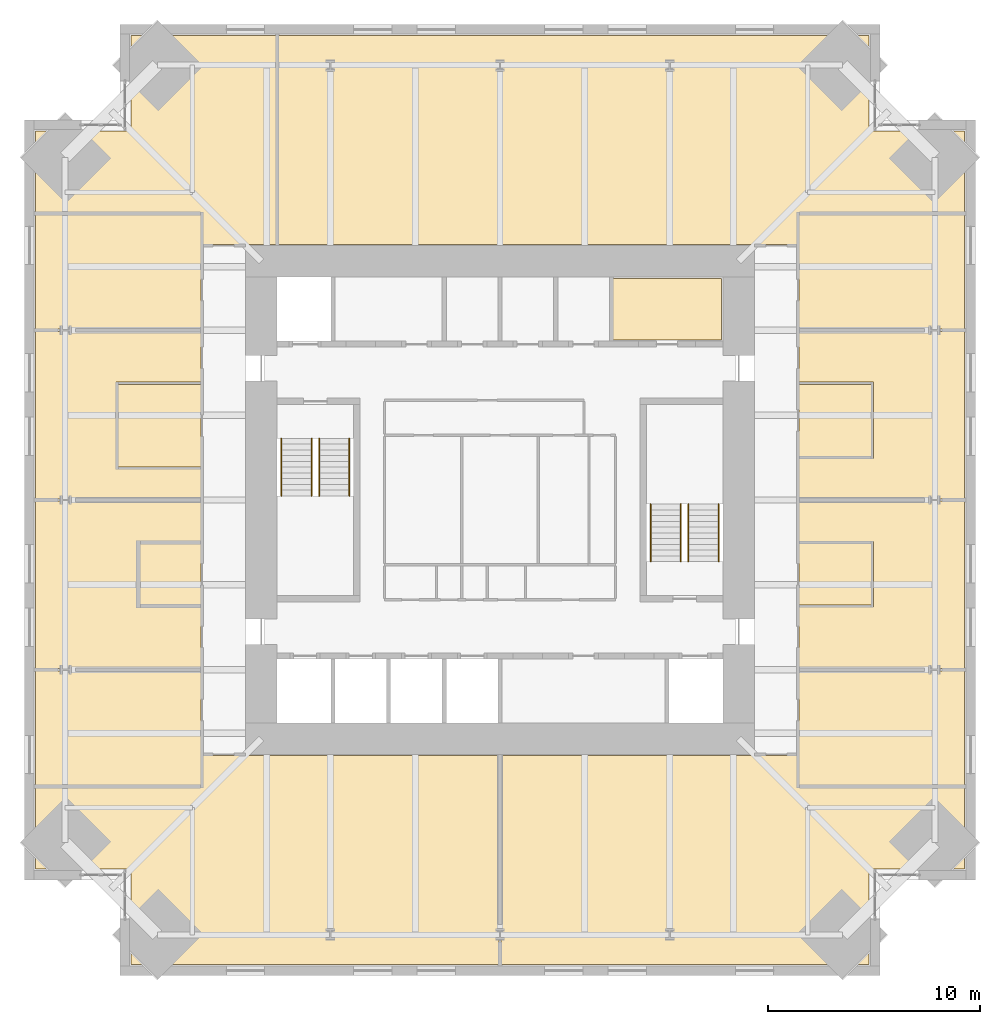
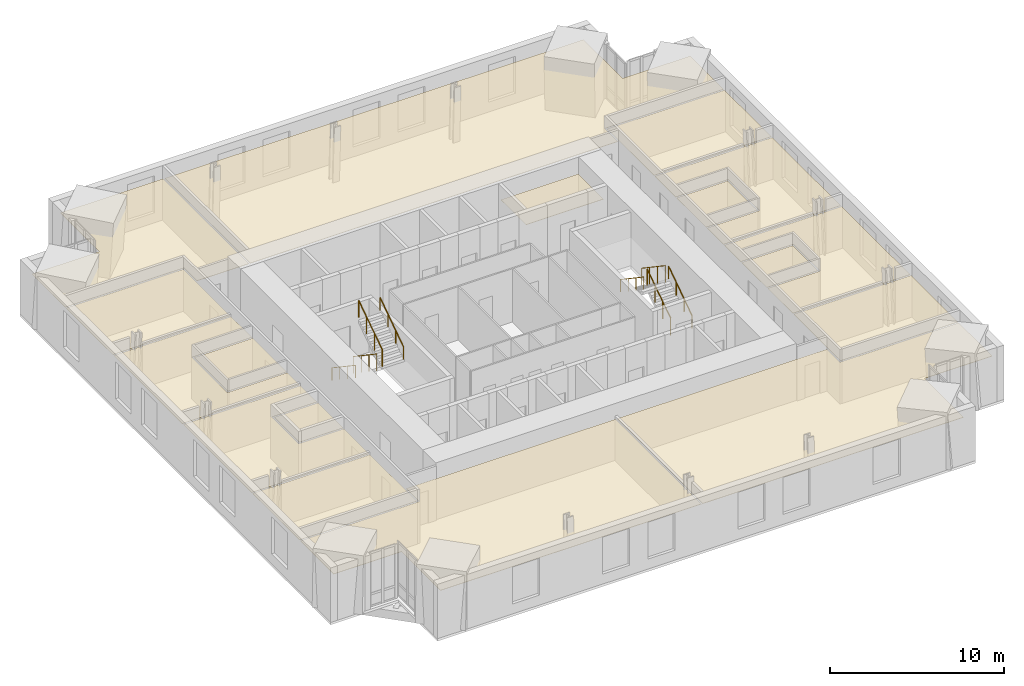
# One storey, part 17 of 17: 17 coverings, 8 railings.
"""IFC4 building model written with IfcOpenShell, lengths in metres."""

import ifcopenshell
import ifcopenshell.guid

model = None  # the IFC model being written
_history = None  # IfcOwnerHistory: only IFC2X3 demands one
_inside = {}  # id of a spatial element -> (the spatial element, [elements in it])
_under = {}  # id of a project, library or spatial element -> (it, [spatial elements below it])
_declared = {}  # id of a project -> (the project, [libraries it declares])
_typed = {}  # id of a type object -> (the type object, [elements of that type])
_made_of = {}  # id of a material, layer set ... -> (it, [elements and type objects made of it])


def new_model(schema):
    """Start an empty IFC model of exactly this schema.

    Asked for "IFC4X3", IfcOpenShell would pick the latest addendum, in which some entities
    have other attributes; the version numbers below select the first issue.
    IFC2X3 requires an IfcOwnerHistory on every rooted entity: one is made here for all.
    """
    global model, _history
    if schema == "IFC4X3":
        model = ifcopenshell.file(schema_version=(4, 3, 0, 0))
    else:
        model = ifcopenshell.file(schema=schema)
    _inside.clear()
    _under.clear()
    _declared.clear()
    _typed.clear()
    _made_of.clear()
    _history = None
    if model.schema == "IFC2X3":
        org = make("IfcOrganization", Name="unknown")
        user = make(
            "IfcPersonAndOrganization",
            ThePerson=make("IfcPerson", FamilyName="unknown"),
            TheOrganization=org,
        )
        app = make(
            "IfcApplication",
            ApplicationDeveloper=org,
            Version="unknown",
            ApplicationFullName="unknown",
            ApplicationIdentifier="unknown",
        )
        _history = make(
            "IfcOwnerHistory",
            OwningUser=user,
            OwningApplication=app,
            ChangeAction="ADDED",
            CreationDate=0,
        )
    return model


def make(cls, **values):
    """One entity of the class cls with the attributes given. An attribute that is None is left unset."""
    return model.create_entity(
        cls, **{name: value for name, value in values.items() if value is not None}
    )


def rooted(cls, **values):
    """An entity with a GlobalId (a new one), such as an element, a storey or a relation."""
    return make(cls, GlobalId=ifcopenshell.guid.new(), OwnerHistory=_history, **values)


def si_unit(unit_type, name, prefix=None):
    """IfcSIUnit, for example si_unit("LENGTHUNIT", "METRE", prefix="MILLI")."""
    return make("IfcSIUnit", UnitType=unit_type, Prefix=prefix, Name=name)


def assignment(units):
    """IfcUnitAssignment: the units of a project."""
    return None if units is None else make("IfcUnitAssignment", Units=units)


def point(xyz):
    """IfcCartesianPoint."""
    return None if xyz is None else make("IfcCartesianPoint", Coordinates=xyz)


def direction(xyz):
    """IfcDirection."""
    return None if xyz is None else make("IfcDirection", DirectionRatios=xyz)


def frame(location, z_axis=None, x_axis=None):
    """IfcAxis2Placement3D, a coordinate frame: its origin and axes. An axis left out is left unset."""
    return make(
        "IfcAxis2Placement3D",
        Location=point(location),
        Axis=direction(z_axis),
        RefDirection=direction(x_axis),
    )


def frame_2d(location, x_axis=None):
    """IfcAxis2Placement2D, a coordinate frame in the plane: its origin and x axis."""
    return make(
        "IfcAxis2Placement2D", Location=point(location), RefDirection=direction(x_axis)
    )


def origin():
    """The frame at (0, 0, 0) with its axes left unset."""
    return frame((0.0, 0.0, 0.0))


def origin_2d():
    """The frame at (0, 0) in the plane with its x axis left unset."""
    return frame_2d((0.0, 0.0))


def place(relative_to, where):
    """IfcLocalPlacement: puts the frame where relative to a parent placement (None: the world)."""
    return make(
        "IfcLocalPlacement", PlacementRelTo=relative_to, RelativePlacement=where
    )


def context(
    kind, dimensions, precision=None, world=None, true_north=None, identifier=None
):
    """IfcGeometricRepresentationContext, for example the 3D "Model" context."""
    return make(
        "IfcGeometricRepresentationContext",
        ContextIdentifier=identifier,
        ContextType=kind,
        CoordinateSpaceDimension=dimensions,
        Precision=precision,
        WorldCoordinateSystem=world,
        TrueNorth=true_north,
    )


def subcontext(parent, identifier, kind, view, scale=None):
    """IfcGeometricRepresentationSubContext, for example "Body" below "Model"."""
    return make(
        "IfcGeometricRepresentationSubContext",
        ContextIdentifier=identifier,
        ContextType=kind,
        ParentContext=parent,
        TargetScale=scale,
        TargetView=view,
    )


def project(units=None, contexts=None):
    """IfcProject with its units and contexts."""
    return rooted(
        "IfcProject",
        Name="project",
        RepresentationContexts=contexts,
        UnitsInContext=assignment(units),
    )


def spatial(cls, under=None, at=None, **own):
    """A site, building, storey or space (cls), placed at a placement, below another one or the project."""
    s = rooted(cls, ObjectPlacement=at, **own)
    if under is not None:
        _under.setdefault(under.id(), (under, []))[1].append(s)
    return s


def polyline(points):
    """IfcPolyline through the points."""
    return make("IfcPolyline", Points=[point(p) for p in points])


def profile(cls, at=None, kind="AREA", **sizes):
    """A parametric profile (cls). Its sizes go by their IFC names, for example OverallWidth=200.0."""
    return make(cls, ProfileType=kind, Position=at, **sizes)


def circle(**sizes):
    """IfcCircleProfileDef."""
    return profile("IfcCircleProfileDef", **sizes)


def outline(outer, holes=None, kind="AREA"):
    """IfcArbitraryClosedProfileDef: a profile drawn as a closed curve; with holes, ...WithVoids."""
    if holes is None:
        return make("IfcArbitraryClosedProfileDef", ProfileType=kind, OuterCurve=outer)
    return make(
        "IfcArbitraryProfileDefWithVoids",
        ProfileType=kind,
        OuterCurve=outer,
        InnerCurves=holes,
    )


def extrude(swept, where, along, depth):
    """IfcExtrudedAreaSolid: the profile swept, set in the frame where, extruded along a direction by depth."""
    return make(
        "IfcExtrudedAreaSolid",
        SweptArea=swept,
        Position=where,
        ExtrudedDirection=direction(along),
        Depth=depth,
    )


def shape(context_of_items, identifier, shape_type, items):
    """IfcShapeRepresentation: the items that make up one representation, for example the "Body"."""
    return make(
        "IfcShapeRepresentation",
        ContextOfItems=context_of_items,
        RepresentationIdentifier=identifier,
        RepresentationType=shape_type,
        Items=items,
    )


def material(Name=None, Category=None):
    """IfcMaterial."""
    return make("IfcMaterial", Name=Name, Category=Category)


def layer(
    of_material, thickness, ventilated=None, Name=None, Category=None, Priority=None
):
    """IfcMaterialLayer: one layer of a wall or slab, of a material (None: an air gap)."""
    return make(
        "IfcMaterialLayer",
        Material=of_material,
        LayerThickness=thickness,
        IsVentilated=ventilated,
        Name=Name,
        Category=Category,
        Priority=Priority,
    )


def layer_set(layers, Name=None):
    """IfcMaterialLayerSet."""
    return make("IfcMaterialLayerSet", MaterialLayers=layers, LayerSetName=Name)


def made_of(thing, what):
    """Note that an element or type object is made of a material, layer set ...; save() writes the relation."""
    if what is not None:
        _made_of.setdefault(what.id(), (what, []))[1].append(thing)
    return thing


def type_object(cls, material=None, **own):
    """A type object (cls), such as IfcWallType, which elements share."""
    return made_of(rooted(cls, **own), material)


def element(
    cls,
    number,
    at=None,
    inside=None,
    cuts=None,
    type_object=None,
    material=None,
    context=None,
    identifier="Body",
    shape_type=None,
    held_by="IfcProductDefinitionShape",
    body=None,
    shapes=None,
    **own,
):
    """One element of the class cls, such as IfcWall. Its Tag is "e" and its number.

    at: its placement. inside: the storey or other place that contains it. cuts: it is an
    opening in that element (IfcRelVoidsElement). A single representation is given by context,
    identifier, shape_type and body (its items); several are given by shapes. held_by: the class
    of the entity that holds the representations. save() writes the other relations.
    """
    e = rooted(cls, Tag="e%d" % number, ObjectPlacement=at, **own)
    if body is not None:
        shapes = [shape(context, identifier, shape_type, body)]
    if shapes is not None:
        e.Representation = make(held_by, Representations=shapes)
    if inside is not None:
        _inside.setdefault(inside.id(), (inside, []))[1].append(e)
    if cuts is not None:
        rooted(
            "IfcRelVoidsElement", RelatingBuildingElement=cuts, RelatedOpeningElement=e
        )
    if type_object is not None:
        _typed.setdefault(type_object.id(), (type_object, []))[1].append(e)
    return made_of(e, material)


def aggregate(whole, parts):
    """IfcRelAggregates: a whole, such as a stair, and the parts it consists of."""
    return rooted("IfcRelAggregates", RelatingObject=whole, RelatedObjects=parts)


def save(model, path):
    """Write the relations noted so far, then the file.

    IfcRelAggregates (storeys below a building ...), IfcRelContainedInSpatialStructure (elements
    in a storey), IfcRelDefinesByType, IfcRelAssociatesMaterial and IfcRelDeclares: one each for
    every whole, place, type object, material and project.
    """
    for whole, parts in _under.values():
        aggregate(whole, parts)
    for where, things in _inside.values():
        rooted(
            "IfcRelContainedInSpatialStructure",
            RelatedElements=things,
            RelatingStructure=where,
        )
    for kind, things in _typed.values():
        rooted("IfcRelDefinesByType", RelatedObjects=things, RelatingType=kind)
    for what, things in _made_of.values():
        rooted("IfcRelAssociatesMaterial", RelatedObjects=things, RelatingMaterial=what)
    for by, libraries in _declared.values():
        rooted("IfcRelDeclares", RelatingContext=by, RelatedDefinitions=libraries)
    model.write(path)


model = new_model("IFC4")

# Units and contexts
model_context = context("Model", 3, precision=1e-05, world=origin(), true_north=direction((0.0, 1.0)))
body_context = subcontext(model_context, "Body", "Model", "MODEL_VIEW")
ifc_project = project(units=[si_unit("LENGTHUNIT", "METRE"), si_unit("AREAUNIT", "SQUARE_METRE"), si_unit("VOLUMEUNIT", "CUBIC_METRE"), si_unit("PLANEANGLEUNIT", "RADIAN"), si_unit("MASSUNIT", "GRAM", prefix="KILO")], contexts=[model_context])

# Site, building, storey
site_placement = place(None, origin())
site = spatial("IfcSite", under=ifc_project, at=site_placement, CompositionType="ELEMENT")
building_placement = place(site_placement, origin())
building = spatial("IfcBuilding", under=site, at=building_placement, Name="Peilmerk Tower", CompositionType="ELEMENT")
storey_placement = place(building_placement, frame((0.0, 0.0, 257.800048828125)))
storey = spatial("IfcBuildingStorey", under=building, at=storey_placement, Name="L57", CompositionType="ELEMENT", Elevation=257.800048828125)

# Coverings
ifc_material_1 = material(Name="Mineral fibre ceiling tiles", Category="mineral")
ifc_layer = layer(ifc_material_1, 0.02490234375)
ifc_layer_set = layer_set([ifc_layer], Name="Mineral fibre ceiling tiles")
covering_type = type_object("IfcCoveringType", Name="CL1 25 suspended ceiling", PredefinedType="CEILING", material=ifc_layer_set)
covering_1_placement = place(storey_placement, frame((0.0, 0.0, 2.905029296875)))
element("IfcCovering", 1, at=covering_1_placement, inside=storey, type_object=covering_type, Name="Suspended ceiling Office", PredefinedType="CEILING", context=body_context, shape_type="SweptSolid", body=[
    extrude(outline(polyline([(-21.89990234375, 17.39990234375), (-21.89990234375, 13.550048828125), (-14.0, 13.550048828125), (-14.0, 12.050048828125), (-10.550048828125, 12.050048828125), (-10.550048828125, 21.89990234375), (-17.39990234375, 21.89990234375), (-17.39990234375, 17.39990234375), (-21.89990234375, 17.39990234375)])), origin(), (0.0, 0.0, 1.0), 0.02490234375),
])
covering_2_placement = place(storey_placement, frame((0.0, 0.0, 2.905029296875)))
element("IfcCovering", 2, at=covering_2_placement, inside=storey, type_object=covering_type, Name="Suspended ceiling Office", PredefinedType="CEILING", context=body_context, shape_type="SweptSolid", body=[
    extrude(outline(polyline([(17.39990234375, 21.89990234375), (-10.449951171875, 21.89990234375), (-10.449951171875, 12.050048828125), (14.0, 12.050048828125), (14.0, 13.550048828125), (21.89990234375, 13.550048828125), (21.89990234375, 17.39990234375), (17.39990234375, 17.39990234375), (17.39990234375, 21.89990234375)])), origin(), (0.0, 0.0, 1.0), 0.02490234375),
])
covering_3_placement = place(storey_placement, frame((0.0, 0.0, 2.905029296875)))
element("IfcCovering", 3, at=covering_3_placement, inside=storey, type_object=covering_type, Name="Suspended ceiling Office", PredefinedType="CEILING", context=body_context, shape_type="SweptSolid", body=[
    extrude(outline(polyline([(-17.39990234375, -21.89990234375), (-0.050048828125, -21.89990234375), (-0.050048828125, -12.050048828125), (-14.0, -12.050048828125), (-14.0, -13.550048828125), (-21.89990234375, -13.550048828125), (-21.89990234375, -17.39990234375), (-17.39990234375, -17.39990234375), (-17.39990234375, -21.89990234375)])), origin(), (0.0, 0.0, 1.0), 0.02490234375),
])
covering_4_placement = place(storey_placement, frame((0.0, 0.0, 2.905029296875)))
element("IfcCovering", 4, at=covering_4_placement, inside=storey, type_object=covering_type, Name="Suspended ceiling Office", PredefinedType="CEILING", context=body_context, shape_type="SweptSolid", body=[
    extrude(outline(polyline([(0.050048828125, -21.89990234375), (17.39990234375, -21.89990234375), (17.39990234375, -17.39990234375), (21.89990234375, -17.39990234375), (21.89990234375, -13.550048828125), (14.0, -13.550048828125), (14.0, -12.050048828125), (0.050048828125, -12.050048828125), (0.050048828125, -21.89990234375)])), origin(), (0.0, 0.0, 1.0), 0.02490234375),
])
covering_5_placement = place(storey_placement, frame((0.0, 0.0, 2.905029296875)))
element("IfcCovering", 5, at=covering_5_placement, inside=storey, type_object=covering_type, Name="Suspended ceiling Office", PredefinedType="CEILING", context=body_context, shape_type="SweptSolid", body=[
    extrude(outline(polyline([(21.89990234375, -13.449951171875), (21.89990234375, -8.050048828125), (14.10009765625, -8.050048828125), (14.10009765625, -13.449951171875), (21.89990234375, -13.449951171875)])), origin(), (0.0, 0.0, 1.0), 0.02490234375),
])
covering_6_placement = place(storey_placement, frame((0.0, 0.0, 2.905029296875)))
element("IfcCovering", 6, at=covering_6_placement, inside=storey, type_object=covering_type, Name="Suspended ceiling Office", PredefinedType="CEILING", context=body_context, shape_type="SweptSolid", body=[
    extrude(outline(polyline([(14.10009765625, -7.949951171875), (21.89990234375, -7.949951171875), (21.89990234375, -0.050048828125), (14.10009765625, -0.050048828125), (14.10009765625, -1.949951171875), (17.60009765625, -1.949951171875), (17.60009765625, -5.050048828125), (14.10009765625, -5.050048828125), (14.10009765625, -7.949951171875)])), origin(), (0.0, 0.0, 1.0), 0.02490234375),
])
covering_7_placement = place(storey_placement, frame((0.0, 0.0, 2.905029296875)))
element("IfcCovering", 7, at=covering_7_placement, inside=storey, type_object=covering_type, Name="Suspended ceiling Office", PredefinedType="CEILING", context=body_context, shape_type="SweptSolid", body=[
    extrude(outline(polyline([(14.10009765625, 0.050048828125), (21.89990234375, 0.050048828125), (21.89990234375, 7.949951171875), (14.10009765625, 7.949951171875), (14.10009765625, 5.550048828125), (17.60009765625, 5.550048828125), (17.60009765625, 1.949951171875), (14.10009765625, 1.949951171875), (14.10009765625, 0.050048828125)])), origin(), (0.0, 0.0, 1.0), 0.02490234375),
])
covering_8_placement = place(storey_placement, frame((0.0, 0.0, 2.905029296875)))
element("IfcCovering", 8, at=covering_8_placement, inside=storey, type_object=covering_type, Name="Suspended ceiling Office", PredefinedType="CEILING", context=body_context, shape_type="SweptSolid", body=[
    extrude(outline(polyline([(21.89990234375, 8.050048828125), (21.89990234375, 13.449951171875), (14.10009765625, 13.449951171875), (14.10009765625, 8.050048828125), (21.89990234375, 8.050048828125)])), origin(), (0.0, 0.0, 1.0), 0.02490234375),
])
covering_9_placement = place(storey_placement, frame((0.0, 0.0, 2.905029296875)))
element("IfcCovering", 9, at=covering_9_placement, inside=storey, type_object=covering_type, Name="Suspended ceiling Pantry", PredefinedType="CEILING", context=body_context, shape_type="SweptSolid", body=[
    extrude(outline(polyline([(17.5, 2.050048828125), (17.5, 5.449951171875), (14.10009765625, 5.449951171875), (14.10009765625, 2.050048828125), (17.5, 2.050048828125)])), origin(), (0.0, 0.0, 1.0), 0.02490234375),
])
covering_10_placement = place(storey_placement, frame((0.0, 0.0, 2.905029296875)))
element("IfcCovering", 10, at=covering_10_placement, inside=storey, type_object=covering_type, Name="Suspended ceiling Focus room", PredefinedType="CEILING", context=body_context, shape_type="SweptSolid", body=[
    extrude(outline(polyline([(17.5, -4.949951171875), (17.5, -2.050048828125), (14.10009765625, -2.050048828125), (14.10009765625, -4.949951171875), (17.5, -4.949951171875)])), origin(), (0.0, 0.0, 1.0), 0.02490234375),
])
covering_11_placement = place(storey_placement, frame((0.0, 0.0, 2.905029296875)))
element("IfcCovering", 11, at=covering_11_placement, inside=storey, type_object=covering_type, Name="Suspended ceiling Office", PredefinedType="CEILING", context=body_context, shape_type="SweptSolid", body=[
    extrude(outline(polyline([(-21.89990234375, -8.050048828125), (-21.89990234375, -13.449951171875), (-14.10009765625, -13.449951171875), (-14.10009765625, -8.050048828125), (-21.89990234375, -8.050048828125)])), origin(), (0.0, 0.0, 1.0), 0.02490234375),
])
covering_12_placement = place(storey_placement, frame((0.0, 0.0, 2.905029296875)))
element("IfcCovering", 12, at=covering_12_placement, inside=storey, type_object=covering_type, Name="Suspended ceiling Office", PredefinedType="CEILING", context=body_context, shape_type="SweptSolid", body=[
    extrude(outline(polyline([(-14.10009765625, -0.050048828125), (-21.89990234375, -0.050048828125), (-21.89990234375, -7.949951171875), (-14.10009765625, -7.949951171875), (-14.10009765625, -5.050048828125), (-17.10009765625, -5.050048828125), (-17.10009765625, -1.949951171875), (-14.10009765625, -1.949951171875), (-14.10009765625, -0.050048828125)])), origin(), (0.0, 0.0, 1.0), 0.02490234375),
])
covering_13_placement = place(storey_placement, frame((0.0, 0.0, 2.905029296875)))
element("IfcCovering", 13, at=covering_13_placement, inside=storey, type_object=covering_type, Name="Suspended ceiling Office", PredefinedType="CEILING", context=body_context, shape_type="SweptSolid", body=[
    extrude(outline(polyline([(-14.10009765625, 7.949951171875), (-21.89990234375, 7.949951171875), (-21.89990234375, 0.050048828125), (-14.10009765625, 0.050048828125), (-14.10009765625, 1.449951171875), (-18.10009765625, 1.449951171875), (-18.10009765625, 5.550048828125), (-14.10009765625, 5.550048828125), (-14.10009765625, 7.949951171875)])), origin(), (0.0, 0.0, 1.0), 0.02490234375),
])
covering_14_placement = place(storey_placement, frame((0.0, 0.0, 2.905029296875)))
element("IfcCovering", 14, at=covering_14_placement, inside=storey, type_object=covering_type, Name="Suspended ceiling Office", PredefinedType="CEILING", context=body_context, shape_type="SweptSolid", body=[
    extrude(outline(polyline([(-21.89990234375, 13.449951171875), (-21.89990234375, 8.050048828125), (-14.10009765625, 8.050048828125), (-14.10009765625, 13.449951171875), (-21.89990234375, 13.449951171875)])), origin(), (0.0, 0.0, 1.0), 0.02490234375),
])
covering_15_placement = place(storey_placement, frame((0.0, 0.0, 2.905029296875)))
element("IfcCovering", 15, at=covering_15_placement, inside=storey, type_object=covering_type, Name="Suspended ceiling Meeting room", PredefinedType="CEILING", context=body_context, shape_type="SweptSolid", body=[
    extrude(outline(polyline([(-14.10009765625, 1.550048828125), (-14.10009765625, 5.449951171875), (-18.0, 5.449951171875), (-18.0, 1.550048828125), (-14.10009765625, 1.550048828125)])), origin(), (0.0, 0.0, 1.0), 0.02490234375),
])
covering_16_placement = place(storey_placement, frame((0.0, 0.0, 2.905029296875)))
element("IfcCovering", 16, at=covering_16_placement, inside=storey, type_object=covering_type, Name="Suspended ceiling Print room", PredefinedType="CEILING", context=body_context, shape_type="SweptSolid", body=[
    extrude(outline(polyline([(-14.10009765625, -4.949951171875), (-14.10009765625, -2.050048828125), (-17.0, -2.050048828125), (-17.0, -4.949951171875), (-14.10009765625, -4.949951171875)])), origin(), (0.0, 0.0, 1.0), 0.02490234375),
])
covering_17_placement = place(storey_placement, frame((0.0, 0.0, 2.824951171875)))
element("IfcCovering", 17, at=covering_17_placement, inside=storey, type_object=covering_type, Name="Suspended ceiling Pantry", PredefinedType="CEILING", context=body_context, shape_type="SweptSolid", body=[
    extrude(outline(polyline([(10.448974609375, 7.551025390625), (10.448974609375, 10.448974609375), (5.301025390625, 10.448974609375), (5.301025390625, 7.551025390625), (10.448974609375, 7.551025390625)])), origin(), (0.0, 0.0, 1.0), 0.02490234375),
])

# Railings
ifc_material_2 = material(Name="Steel flat bar balustrade", Category="steel")
railing_type_1 = type_object("IfcRailingType", Name="GR1 1200 stair guard", PredefinedType="GUARDRAIL", material=ifc_material_2)
railing_1_placement = place(storey_placement, frame((-8.8798828125, 2.89990234375, 0.181884765625)))
element("IfcRailing", 18, at=railing_1_placement, inside=storey, type_object=railing_type_1, Name="Guard stair 1 L57", PredefinedType="GUARDRAIL", context=body_context, shape_type="SweptSolid", body=[
    extrude(circle(Radius=0.02392578125, at=origin_2d()), frame((0.0, 0.0, 1.17578125), z_axis=(0.0, -0.829468130872, 0.55855404382), x_axis=(1.0, 0.0, 0.0)), (0.0, 0.0, 1.0), 3.255126953125),
    extrude(circle(Radius=0.02099609375, at=origin_2d()), origin(), (0.0, 0.0, 1.0), 1.15185546875),
    extrude(circle(Radius=0.02099609375, at=origin_2d()), frame((0.0, -0.89990234375, 0.60595703125)), (0.0, 0.0, 1.0), 1.15185546875),
    extrude(circle(Radius=0.02099609375, at=origin_2d()), frame((0.0, -1.800048828125, 1.212158203125)), (0.0, 0.0, 1.0), 1.15185546875),
    extrude(circle(Radius=0.02099609375, at=origin_2d()), frame((0.0, -2.699951171875, 1.818115234375)), (0.0, 0.0, 1.0), 1.15185546875),
])
for number, where, name in (
    (19, (-8.52001953125, 0.199951171875, 2.181884765625), "Guard stair 1 L57"),
    (20, (8.8798828125, -2.89990234375, 0.181884765625), "Guard stair 2 L57"),
):
    element("IfcRailing", number, at=place(storey_placement, frame(where)), inside=storey, type_object=railing_type_1, Name=name, PredefinedType="GUARDRAIL", context=body_context, shape_type="SweptSolid", body=[
        extrude(circle(Radius=0.02392578125, at=origin_2d()), frame((0.0, 0.0, 1.17578125), z_axis=(0.0, 0.829468130872, 0.55855404382), x_axis=(-1.0, 0.0, 0.0)), (0.0, 0.0, 1.0), 3.255126953125),
        extrude(circle(Radius=0.02099609375, at=origin_2d()), origin(), (0.0, 0.0, 1.0), 1.15185546875),
        extrude(circle(Radius=0.02099609375, at=origin_2d()), frame((0.0, 0.89990234375, 0.60595703125)), (0.0, 0.0, 1.0), 1.15185546875),
        extrude(circle(Radius=0.02099609375, at=origin_2d()), frame((0.0, 1.800048828125, 1.212158203125)), (0.0, 0.0, 1.0), 1.15185546875),
        extrude(circle(Radius=0.02099609375, at=origin_2d()), frame((0.0, 2.699951171875, 1.818115234375)), (0.0, 0.0, 1.0), 1.15185546875),
    ])
railing_2_placement = place(storey_placement, frame((8.52001953125, -0.199951171875, 2.181884765625)))
element("IfcRailing", 21, at=railing_2_placement, inside=storey, type_object=railing_type_1, Name="Guard stair 2 L57", PredefinedType="GUARDRAIL", context=body_context, shape_type="SweptSolid", body=[
    extrude(circle(Radius=0.02392578125, at=origin_2d()), frame((0.0, 0.0, 1.17578125), z_axis=(0.0, -0.829468130872, 0.55855404382), x_axis=(1.0, 0.0, 0.0)), (0.0, 0.0, 1.0), 3.255126953125),
    extrude(circle(Radius=0.02099609375, at=origin_2d()), origin(), (0.0, 0.0, 1.0), 1.15185546875),
    extrude(circle(Radius=0.02099609375, at=origin_2d()), frame((0.0, -0.89990234375, 0.60595703125)), (0.0, 0.0, 1.0), 1.15185546875),
    extrude(circle(Radius=0.02099609375, at=origin_2d()), frame((0.0, -1.800048828125, 1.212158203125)), (0.0, 0.0, 1.0), 1.15185546875),
    extrude(circle(Radius=0.02099609375, at=origin_2d()), frame((0.0, -2.699951171875, 1.818115234375)), (0.0, 0.0, 1.0), 1.15185546875),
])
ifc_material_3 = material(Name="Stainless steel tube", Category="steel")
railing_type_2 = type_object("IfcRailingType", Name="HR1 900 stair handrail", PredefinedType="HANDRAIL", material=ifc_material_3)
railing_3_placement = place(storey_placement, frame((-10.300048828125, 2.89990234375, 0.181884765625)))
element("IfcRailing", 22, at=railing_3_placement, inside=storey, type_object=railing_type_2, Name="Handrail stair 1 L57", PredefinedType="HANDRAIL", context=body_context, shape_type="SweptSolid", body=[
    extrude(circle(Radius=0.02392578125, at=origin_2d()), frame((0.0, 0.0, 0.8759765625), z_axis=(0.0, -0.829468130872, 0.55855404382), x_axis=(1.0, 0.0, 0.0)), (0.0, 0.0, 1.0), 3.255126953125),
    extrude(circle(Radius=0.02099609375, at=origin_2d()), origin(), (0.0, 0.0, 1.0), 0.851806640625),
    extrude(circle(Radius=0.02099609375, at=origin_2d()), frame((0.0, -0.89990234375, 0.60595703125)), (0.0, 0.0, 1.0), 0.851806640625),
    extrude(circle(Radius=0.02099609375, at=origin_2d()), frame((0.0, -1.800048828125, 1.212158203125)), (0.0, 0.0, 1.0), 0.851806640625),
    extrude(circle(Radius=0.02099609375, at=origin_2d()), frame((0.0, -2.699951171875, 1.818115234375)), (0.0, 0.0, 1.0), 0.851806640625),
])
for number, where, name in (
    (23, (-7.10009765625, 0.199951171875, 2.181884765625), "Handrail stair 1 L57"),
    (24, (10.300048828125, -2.89990234375, 0.181884765625), "Handrail stair 2 L57"),
):
    element("IfcRailing", number, at=place(storey_placement, frame(where)), inside=storey, type_object=railing_type_2, Name=name, PredefinedType="HANDRAIL", context=body_context, shape_type="SweptSolid", body=[
        extrude(circle(Radius=0.02392578125, at=origin_2d()), frame((0.0, 0.0, 0.8759765625), z_axis=(0.0, 0.829468130872, 0.55855404382), x_axis=(-1.0, 0.0, 0.0)), (0.0, 0.0, 1.0), 3.255126953125),
        extrude(circle(Radius=0.02099609375, at=origin_2d()), origin(), (0.0, 0.0, 1.0), 0.851806640625),
        extrude(circle(Radius=0.02099609375, at=origin_2d()), frame((0.0, 0.89990234375, 0.60595703125)), (0.0, 0.0, 1.0), 0.851806640625),
        extrude(circle(Radius=0.02099609375, at=origin_2d()), frame((0.0, 1.800048828125, 1.212158203125)), (0.0, 0.0, 1.0), 0.851806640625),
        extrude(circle(Radius=0.02099609375, at=origin_2d()), frame((0.0, 2.699951171875, 1.818115234375)), (0.0, 0.0, 1.0), 0.851806640625),
    ])
railing_4_placement = place(storey_placement, frame((7.10009765625, -0.199951171875, 2.181884765625)))
element("IfcRailing", 25, at=railing_4_placement, inside=storey, type_object=railing_type_2, Name="Handrail stair 2 L57", PredefinedType="HANDRAIL", context=body_context, shape_type="SweptSolid", body=[
    extrude(circle(Radius=0.02392578125, at=origin_2d()), frame((0.0, 0.0, 0.8759765625), z_axis=(0.0, -0.829468130872, 0.55855404382), x_axis=(1.0, 0.0, 0.0)), (0.0, 0.0, 1.0), 3.255126953125),
    extrude(circle(Radius=0.02099609375, at=origin_2d()), origin(), (0.0, 0.0, 1.0), 0.851806640625),
    extrude(circle(Radius=0.02099609375, at=origin_2d()), frame((0.0, -0.89990234375, 0.60595703125)), (0.0, 0.0, 1.0), 0.851806640625),
    extrude(circle(Radius=0.02099609375, at=origin_2d()), frame((0.0, -1.800048828125, 1.212158203125)), (0.0, 0.0, 1.0), 0.851806640625),
    extrude(circle(Radius=0.02099609375, at=origin_2d()), frame((0.0, -2.699951171875, 1.818115234375)), (0.0, 0.0, 1.0), 0.851806640625),
])

save(model, "model.ifc")
